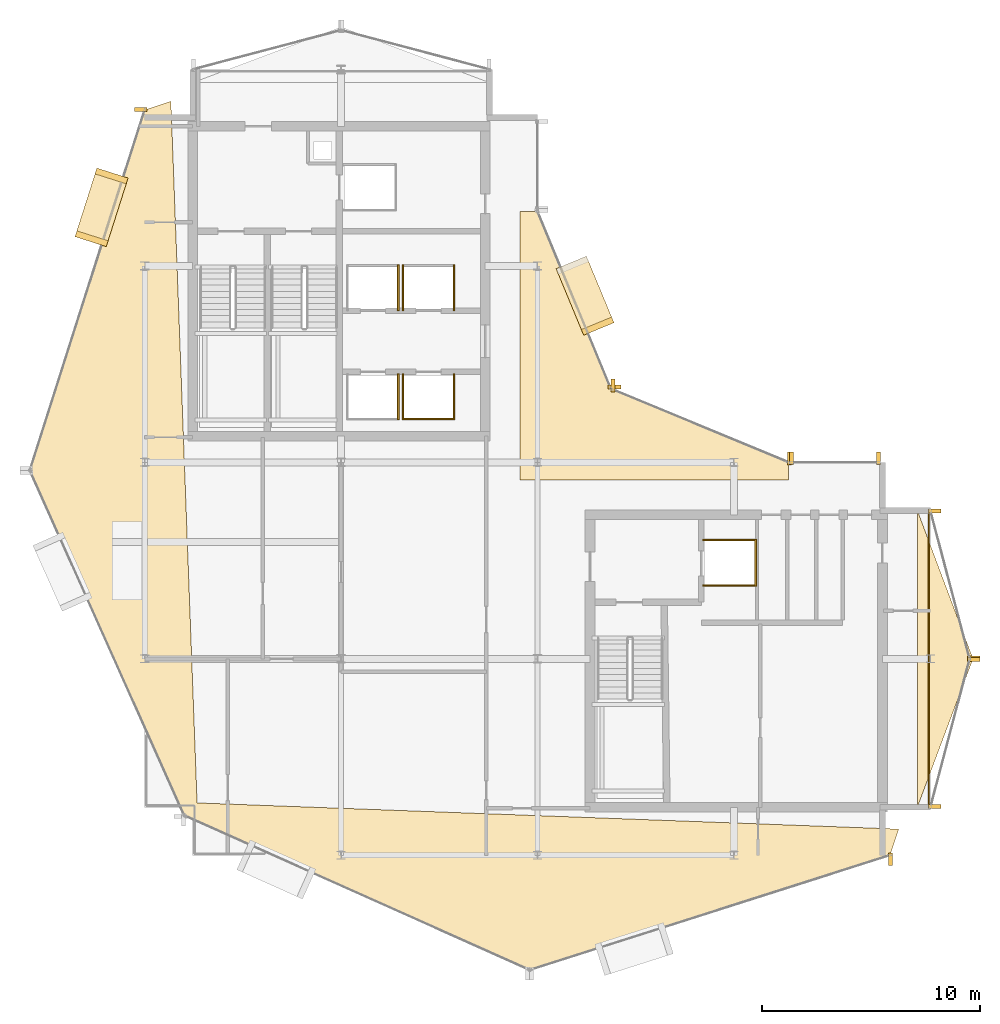
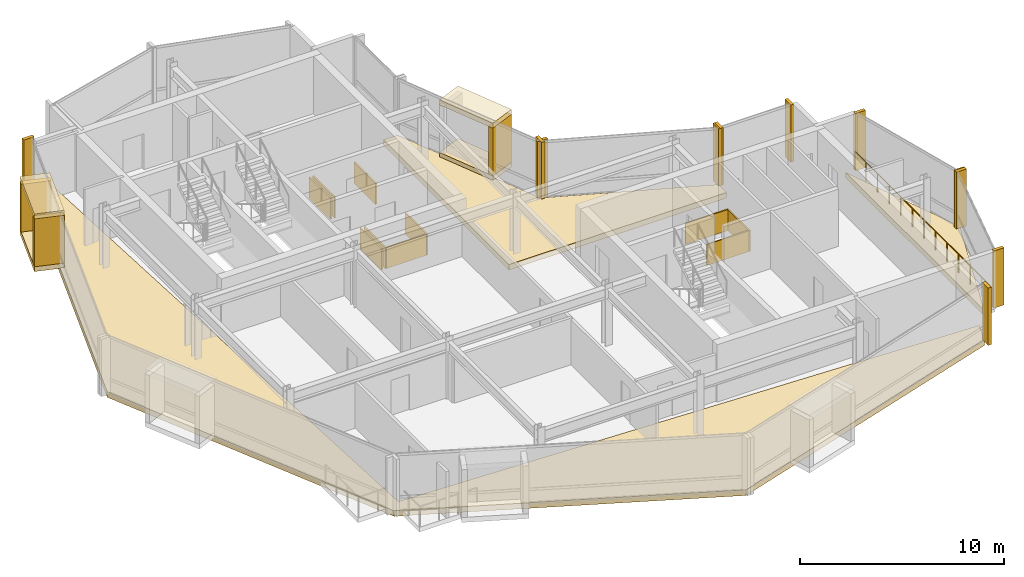
# One storey, part 18 of 19: 31 coverings, 1 railing.
"""IFC4 building model written with IfcOpenShell, lengths in metres."""

from ifc_helpers import new_model, si_unit, direction, frame, origin, origin_2d, place, context, subcontext, project, spatial, polyline, rectangle, circle, outline, extrude, material, layer, layer_set, type_object, element, save


model = new_model("IFC4")

# Units and contexts
model_context = context("Model", 3, precision=1e-05, world=origin(), true_north=direction((0.0, 1.0)))
body_context = subcontext(model_context, "Body", "Model", "MODEL_VIEW")
ifc_project = project(units=[si_unit("LENGTHUNIT", "METRE"), si_unit("AREAUNIT", "SQUARE_METRE"), si_unit("VOLUMEUNIT", "CUBIC_METRE"), si_unit("PLANEANGLEUNIT", "RADIAN"), si_unit("MASSUNIT", "GRAM", prefix="KILO")], contexts=[model_context])

# Site, building, storey
site_placement = place(None, origin())
site = spatial("IfcSite", under=ifc_project, at=site_placement, CompositionType="ELEMENT")
building_placement = place(site_placement, origin())
building = spatial("IfcBuilding", under=site, at=building_placement, Name="Solvaryn Broadcast Tower", CompositionType="ELEMENT")
storey_placement = place(building_placement, frame((0.0, 0.0, 270.39990234375)))
storey = spatial("IfcBuildingStorey", under=building, at=storey_placement, Name="L68", CompositionType="ELEMENT", Elevation=270.39990234375)

# Coverings
ifc_material_1 = material(Name="Fire-Rated Gypsum Shaftwall Liner", Category="concrete")
ifc_layer_1 = layer(ifc_material_1, 0.080078125)
ifc_layer_set_1 = layer_set([ifc_layer_1], Name="CV-SHAFT-LINER")
covering_type_1 = type_object("IfcCoveringType", Name="CV-SHAFT-LINER", PredefinedType="CLADDING", material=ifc_layer_set_1)
covering_1_placement = place(storey_placement, frame((20.614990234375, 30.0, 0.0), z_axis=(0.0, 0.0, 1.0), x_axis=(1.0, 0.0, 0.0)))
element("IfcCovering", 1, at=covering_1_placement, inside=storey, type_object=covering_type_1, Name="L68 PH1 Hoistway Shaft Liner East", PredefinedType="CLADDING", context=body_context, shape_type="SweptSolid", body=[
    extrude(rectangle(XDim=0.080078125, YDim=2.110107421875, at=origin_2d()), origin(), (0.0, 0.0, 1.0), 1.25),
])
covering_2_placement = place(storey_placement, frame((22.0, 28.985107421875, 0.0), z_axis=(0.0, 0.0, 1.0), x_axis=(1.0, 0.0, 0.0)))
element("IfcCovering", 2, at=covering_2_placement, inside=storey, type_object=covering_type_1, Name="L68 PH2 Hoistway Shaft Liner South", PredefinedType="CLADDING", context=body_context, shape_type="SweptSolid", body=[
    extrude(rectangle(XDim=2.409912109375, YDim=0.080078125, at=origin_2d()), origin(), (0.0, 0.0, 1.0), 1.25),
])
for number, where, z_axis, x_axis, name in (
    (3, (23.1650390625, 30.0, 0.0), (0.0, 0.0, 1.0), (1.0, 0.0, 0.0), "L68 PH2 Hoistway Shaft Liner East"),
    (4, (20.8349609375, 30.0, 0.0), (0.0, 0.0, 1.0), (1.0, 0.0, 0.0), "L68 PH2 Hoistway Shaft Liner West"),
    (5, (20.614990234375, 35.0, 0.0), (0.0, 0.0, 1.0), (1.0, 0.0, 0.0), "L68 PH3 Hoistway Shaft Liner East"),
    (6, (23.1650390625, 35.0, 0.0), (0.0, 0.0, 1.0), (1.0, 0.0, 0.0), "L68 PH4 Hoistway Shaft Liner East"),
    (7, (20.8349609375, 35.0, 0.0), (0.0, 0.0, 1.0), (1.0, 0.0, 0.0), "L68 PH4 Hoistway Shaft Liner West"),
):
    element("IfcCovering", number, at=place(storey_placement, frame(where, z_axis=z_axis, x_axis=x_axis)), inside=storey, type_object=covering_type_1, Name=name, PredefinedType="CLADDING", context=body_context, shape_type="SweptSolid", body=[
        extrude(rectangle(XDim=0.080078125, YDim=2.110107421875, at=origin_2d()), origin(), (0.0, 0.0, 1.0), 1.25),
    ])
for number, where, z_axis, x_axis, name in (
    (8, (35.800048828125, 23.43994140625, 0.0), (0.0, 0.0, 1.0), (1.0, 0.0, 0.0), "L68 FL2 Hoistway Shaft Liner North"),
    (9, (35.800048828125, 21.360107421875, 0.0), (0.0, 0.0, 1.0), (1.0, 0.0, 0.0), "L68 FL2 Hoistway Shaft Liner South"),
):
    element("IfcCovering", number, at=place(storey_placement, frame(where, z_axis=z_axis, x_axis=x_axis)), inside=storey, type_object=covering_type_1, Name=name, PredefinedType="CLADDING", context=body_context, shape_type="SweptSolid", body=[
        extrude(rectangle(XDim=2.4599609375, YDim=0.080078125, at=origin_2d()), origin(), (0.0, 0.0, 1.0), 1.25),
    ])
covering_3_placement = place(storey_placement, frame((36.989990234375, 22.39990234375, 0.0), z_axis=(0.0, 0.0, 1.0), x_axis=(1.0, 0.0, 0.0)))
element("IfcCovering", 10, at=covering_3_placement, inside=storey, type_object=covering_type_1, Name="L68 FL2 Hoistway Shaft Liner East", PredefinedType="CLADDING", context=body_context, shape_type="SweptSolid", body=[
    extrude(rectangle(XDim=0.080078125, YDim=2.159912109375, at=origin_2d()), origin(), (0.0, 0.0, 1.0), 1.25),
])
ifc_material_2 = material(Name="Glazed Architectural Terracotta Rainscreen Cladding", Category="masonry")
ifc_layer_2 = layer(ifc_material_2, 0.280029296875)
ifc_layer_set_2 = layer_set([ifc_layer_2], Name="CV-TC-CLAD")
covering_type_2 = type_object("IfcCoveringType", Name="CV-TC-CLAD", PredefinedType="CLADDING", material=ifc_layer_set_2)
for number, where, z_axis, x_axis, name in (
    (11, (7.02197265625, 38.68603515625, 3.1298828125), (0.0, 0.0, 1.0), (-0.303534206887, -0.952820541996, 0.0), "L68 Projecting Stone Window Box Hood 1"),
    (12, (7.02197265625, 38.68603515625, -0.009765625), (0.0, 0.0, 1.0), (-0.303534206887, -0.952820541996, 0.0), "L68 Projecting Stone Window Box Sill 1"),
):
    element("IfcCovering", number, at=place(storey_placement, frame(where, z_axis=z_axis, x_axis=x_axis)), inside=storey, type_object=covering_type_2, Name=name, PredefinedType="CLADDING", context=body_context, shape_type="SweptSolid", body=[
        extrude(rectangle(XDim=3.300048828125, YDim=1.5, at=origin_2d()), origin(), (0.0, 0.0, 1.0), 0.300048828125),
    ])
for number, where, z_axis, x_axis, name in (
    (13, (7.480224609375, 40.124755859375, 0.2802734375), (0.0, 0.0, 1.0), (-0.303534206887, -0.952820541996, 0.0), "L68 Projecting Stone Window Box Cheek 1-1"),
    (14, (6.563720703125, 37.247314453125, 0.2802734375), (0.0, 0.0, 1.0), (-0.303534206887, -0.952820541996, 0.0), "L68 Projecting Stone Window Box Cheek 1-2"),
):
    element("IfcCovering", number, at=place(storey_placement, frame(where, z_axis=z_axis, x_axis=x_axis)), inside=storey, type_object=covering_type_2, Name=name, PredefinedType="CLADDING", context=body_context, shape_type="SweptSolid", body=[
        extrude(rectangle(XDim=0.280029296875, YDim=1.5, at=origin_2d()), origin(), (0.0, 0.0, 1.0), 2.860107421875),
    ])
for number, where, z_axis, x_axis, name in (
    (15, (29.174072265625, 34.636962890625, 3.1298828125), (0.0, 0.0, 1.0), (-0.382683432365, 0.923879532511, 0.0), "L68 Projecting Stone Window Box Hood 5"),
    (16, (29.174072265625, 34.636962890625, -0.009765625), (0.0, 0.0, 1.0), (-0.382683432365, 0.923879532511, 0.0), "L68 Projecting Stone Window Box Sill 5"),
):
    element("IfcCovering", number, at=place(storey_placement, frame(where, z_axis=z_axis, x_axis=x_axis)), inside=storey, type_object=covering_type_2, Name=name, PredefinedType="CLADDING", context=body_context, shape_type="SweptSolid", body=[
        extrude(rectangle(XDim=3.300048828125, YDim=1.5, at=origin_2d()), origin(), (0.0, 0.0, 1.0), 0.300048828125),
    ])
covering_4_placement = place(storey_placement, frame((29.751953125, 33.241943359375, 0.2802734375), z_axis=(0.0, 0.0, 1.0), x_axis=(-0.382683432365, 0.923879532511, 0.0)))
element("IfcCovering", 17, at=covering_4_placement, inside=storey, type_object=covering_type_2, Name="L68 Projecting Stone Window Box Cheek 5-1", PredefinedType="CLADDING", context=body_context, shape_type="SweptSolid", body=[
    extrude(rectangle(XDim=0.280029296875, YDim=1.5, at=origin_2d()), origin(), (0.0, 0.0, 1.0), 2.860107421875),
])
ifc_material_3 = material(Name="Extruded Architectural Terracotta Fin", Category="masonry")
ifc_layer_3 = layer(ifc_material_3, 0.179931640625)
ifc_layer_set_3 = layer_set([ifc_layer_3], Name="CV-TC-FIN")
covering_type_3 = type_object("IfcCoveringType", Name="CV-TC-FIN", PredefinedType="USERDEFINED", material=ifc_layer_set_3)
covering_5_placement = place(storey_placement, frame((8.819091796875, 43.17529296875, 0.000244140625), z_axis=(0.0, 0.0, 1.0), x_axis=(1.0, 0.0, 0.0)))
element("IfcCovering", 18, at=covering_5_placement, inside=storey, type_object=covering_type_3, Name="L68 Terracotta Vertical Fin FIN-L68-DR1-M00", ObjectType="FIN", PredefinedType="USERDEFINED", context=body_context, shape_type="SweptSolid", body=[
    extrude(rectangle(XDim=0.580078125, YDim=0.179931640625, at=origin_2d()), origin(), (0.0, 0.0, 1.0), 3.419921875),
])
for number, where, z_axis, x_axis, name in (
    (19, (43.17529296875, 8.819091796875, 0.000244140625), (0.0, 0.0, 1.0), (1.0, 0.0, 0.0), "L68 Terracotta Vertical Fin FIN-L68-DR4-M01"),
    (20, (38.541259765625, 27.177978515625, 0.000244140625), (0.0, 0.0, 1.0), (1.0, 0.0, 0.0), "L68 Terracotta Vertical Fin FIN-L68-CN1-M00"),
    (21, (30.464599609375, 30.52294921875, 0.000244140625), (0.0, 0.0, 1.0), (1.0, 0.0, 0.0), "L68 Terracotta Vertical Fin FIN-L68-CN1-M01"),
):
    element("IfcCovering", number, at=place(storey_placement, frame(where, z_axis=z_axis, x_axis=x_axis)), inside=storey, type_object=covering_type_3, Name=name, ObjectType="FIN", PredefinedType="USERDEFINED", context=body_context, shape_type="SweptSolid", body=[
        extrude(rectangle(XDim=0.179931640625, YDim=0.580078125, at=origin_2d()), origin(), (0.0, 0.0, 1.0), 3.419921875),
    ])
for number, where, z_axis, x_axis, name in (
    (22, (30.52294921875, 30.464599609375, 0.000244140625), (0.0, 0.0, 1.0), (1.0, 0.0, 0.0), "L68 Terracotta Vertical Fin FIN-L68-CN2-M00"),
    (23, (45.1953125, 24.77099609375, 0.000244140625), (0.0, 0.0, 1.0), (1.0, 0.0, 0.0), "L68 Terracotta Vertical Fin FIN-L68-ET1-M00"),
    (24, (46.979736328125, 18.029052734375, 0.000244140625), (0.0, 0.0, 1.0), (1.0, 0.0, 0.0), "L68 Terracotta Vertical Fin FIN-L68-ET1-M01"),
    (25, (46.979736328125, 17.970947265625, 0.000244140625), (0.0, 0.0, 1.0), (1.0, 0.0, 0.0), "L68 Terracotta Vertical Fin FIN-L68-ET2-M00"),
    (26, (45.1953125, 11.22900390625, 0.000244140625), (0.0, 0.0, 1.0), (1.0, 0.0, 0.0), "L68 Terracotta Vertical Fin FIN-L68-ET2-M01"),
):
    element("IfcCovering", number, at=place(storey_placement, frame(where, z_axis=z_axis, x_axis=x_axis)), inside=storey, type_object=covering_type_3, Name=name, ObjectType="FIN", PredefinedType="USERDEFINED", context=body_context, shape_type="SweptSolid", body=[
        extrude(rectangle(XDim=0.580078125, YDim=0.179931640625, at=origin_2d()), origin(), (0.0, 0.0, 1.0), 3.419921875),
    ])
for number, where, z_axis, x_axis, name in (
    (27, (38.6298828125, 27.1875, 0.000244140625), (0.0, 0.0, 1.0), (1.0, 0.0, 0.0), "L68 Terracotta Vertical Fin FIN-L68-IH-M00"),
    (28, (42.6201171875, 27.1875, 0.000244140625), (0.0, 0.0, 1.0), (1.0, 0.0, 0.0), "L68 Terracotta Vertical Fin FIN-L68-IH-M01"),
):
    element("IfcCovering", number, at=place(storey_placement, frame(where, z_axis=z_axis, x_axis=x_axis)), inside=storey, type_object=covering_type_3, Name=name, ObjectType="FIN", PredefinedType="USERDEFINED", context=body_context, shape_type="SweptSolid", body=[
        extrude(rectangle(XDim=0.179931640625, YDim=0.580078125, at=origin_2d()), origin(), (0.0, 0.0, 1.0), 3.419921875),
    ])
ifc_material_4 = material(Name="Sculpted Architectural Terracotta Wave Fascia", Category="masonry")
ifc_layer_4 = layer(ifc_material_4, 0.340087890625)
ifc_layer_set_4 = layer_set([ifc_layer_4], Name="CV-WAVE-TRAY")
covering_type_4 = type_object("IfcCoveringType", Name="CV-WAVE-TRAY", PredefinedType="CLADDING", material=ifc_layer_set_4)
covering_6_placement = place(storey_placement, frame((0.0, 0.0, -0.2998046875)))
element("IfcCovering", 29, at=covering_6_placement, inside=storey, type_object=covering_type_4, Name="L68 Stepped Cylindrical Drum Floor Apron", PredefinedType="CLADDING", context=body_context, shape_type="SweptSolid", body=[
    extrude(outline(polyline([(10.199951171875, 43.549072265625), (9.0, 43.14892578125), (3.738037109375, 26.635986328125), (10.81689453125, 10.81689453125), (26.635986328125, 3.738037109375), (43.14892578125, 9.0), (43.14892578125, 9.0), (43.549072265625, 10.199951171875), (11.39990234375, 11.39990234375), (10.199951171875, 43.549072265625)])), origin(), (0.0, 0.0, 1.0), 0.329833984375),
])
covering_7_placement = place(storey_placement, frame((0.0, 0.0, -0.2998046875)))
element("IfcCovering", 30, at=covering_7_placement, inside=storey, type_object=covering_type_4, Name="L68 Concave Canyon Floor Apron", PredefinedType="CLADDING", context=body_context, shape_type="SweptSolid", body=[
    extrude(outline(polyline([(26.199951171875, 26.199951171875), (38.5, 26.199951171875), (38.5, 27.0), (30.367919921875, 30.367919921875), (27.0, 38.5), (26.199951171875, 38.5), (26.199951171875, 26.199951171875)])), origin(), (0.0, 0.0, 1.0), 0.329833984375),
])
covering_8_placement = place(storey_placement, frame((0.0, 0.0, -0.2998046875)))
element("IfcCovering", 31, at=covering_8_placement, inside=storey, type_object=covering_type_4, Name="L68 East Curved Wing Deck", PredefinedType="CLADDING", context=body_context, shape_type="SweptSolid", body=[
    extrude(outline(polyline([(44.39990234375, 11.199951171875), (46.949951171875, 18.0), (44.39990234375, 24.800048828125), (44.39990234375, 11.199951171875)])), origin(), (0.0, 0.0, 1.0), 0.329833984375),
])

# Railing
ifc_material_5 = material(Name="Stainless Steel and Laminated Glass Guard", Category="steel")
railing_type = type_object("IfcRailingType", Name="RL-TER-1150", PredefinedType="BALUSTRADE", material=ifc_material_5)
railing_placement = place(storey_placement, frame((44.919921875, 11.199951171875, 0.0)))
element("IfcRailing", 32, at=railing_placement, inside=storey, type_object=railing_type, Name="L68 East Wing Spandrel Edge Guard", PredefinedType="BALUSTRADE", context=body_context, shape_type="SweptSolid", body=[
    extrude(circle(Radius=0.02392578125, at=origin_2d()), frame((0.0, 0.0, 1.1259765625), z_axis=(0.0, 1.0, 0.0), x_axis=(-1.0, 0.0, 0.0)), (0.0, 0.0, 1.0), 13.60009765625),
    extrude(circle(Radius=0.02099609375, at=origin_2d()), origin(), (0.0, 0.0, 1.0), 1.101806640625),
    extrude(circle(Radius=0.02099609375, at=origin_2d()), frame((0.0, 1.13330078125, 0.0)), (0.0, 0.0, 1.0), 1.101806640625),
    extrude(circle(Radius=0.02099609375, at=origin_2d()), frame((0.0, 2.2666015625, 0.0)), (0.0, 0.0, 1.0), 1.101806640625),
    extrude(circle(Radius=0.02099609375, at=origin_2d()), frame((0.0, 3.39990234375, 0.0)), (0.0, 0.0, 1.0), 1.101806640625),
    extrude(circle(Radius=0.02099609375, at=origin_2d()), frame((0.0, 4.533447265625, 0.0)), (0.0, 0.0, 1.0), 1.101806640625),
    extrude(circle(Radius=0.02099609375, at=origin_2d()), frame((0.0, 5.666748046875, 0.0)), (0.0, 0.0, 1.0), 1.101806640625),
    extrude(circle(Radius=0.02099609375, at=origin_2d()), frame((0.0, 6.800048828125, 0.0)), (0.0, 0.0, 1.0), 1.101806640625),
    extrude(circle(Radius=0.02099609375, at=origin_2d()), frame((0.0, 7.933349609375, 0.0)), (0.0, 0.0, 1.0), 1.101806640625),
    extrude(circle(Radius=0.02099609375, at=origin_2d()), frame((0.0, 9.066650390625, 0.0)), (0.0, 0.0, 1.0), 1.101806640625),
    extrude(circle(Radius=0.02099609375, at=origin_2d()), frame((0.0, 10.2001953125, 0.0)), (0.0, 0.0, 1.0), 1.101806640625),
    extrude(circle(Radius=0.02099609375, at=origin_2d()), frame((0.0, 11.33349609375, 0.0)), (0.0, 0.0, 1.0), 1.101806640625),
    extrude(circle(Radius=0.02099609375, at=origin_2d()), frame((0.0, 12.466796875, 0.0)), (0.0, 0.0, 1.0), 1.101806640625),
    extrude(circle(Radius=0.02099609375, at=origin_2d()), frame((0.0, 13.60009765625, 0.0)), (0.0, 0.0, 1.0), 1.101806640625),
])

save(model, "model.ifc")
